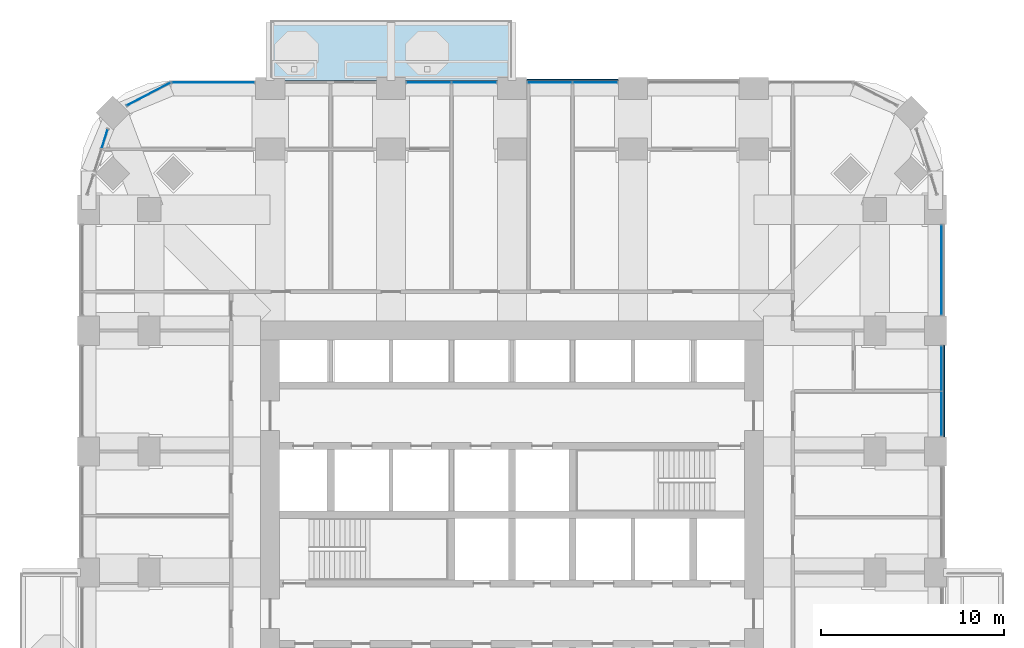
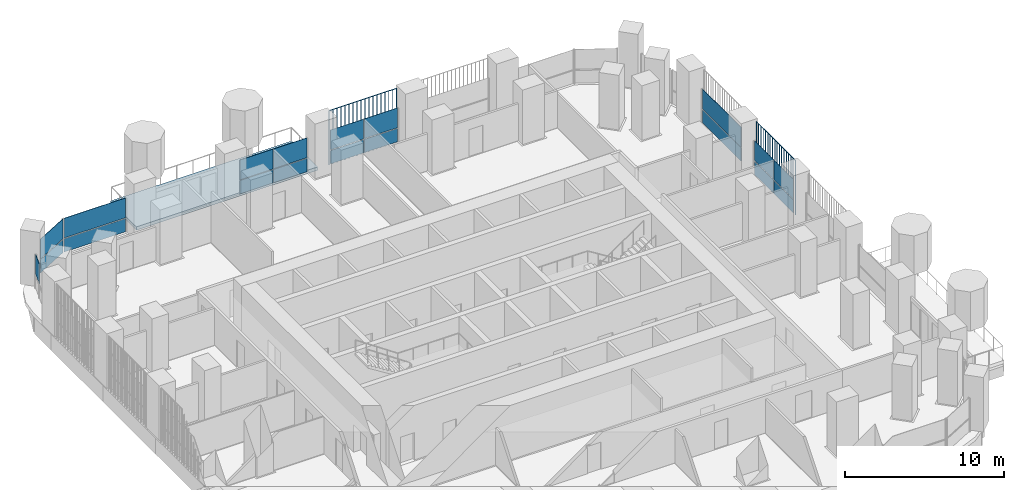
# One storey, part 11 of 21: 21 plates, 1 slab, 7 elements without a shape of their own.
"""IFC4 building model written with IfcOpenShell, lengths in metres."""

from ifc_helpers import new_model, si_unit, direction, frame, origin, origin_2d, place, context, subcontext, project, spatial, polyline, rectangle, outline, extrude, material, layer, layer_set, type_object, element, aggregate, save


model = new_model("IFC4")

# Units and contexts
model_context = context("Model", 3, precision=1e-05, world=origin(), true_north=direction((0.0, 1.0)))
body_context = subcontext(model_context, "Body", "Model", "MODEL_VIEW")
ifc_project = project(units=[si_unit("LENGTHUNIT", "METRE"), si_unit("AREAUNIT", "SQUARE_METRE"), si_unit("VOLUMEUNIT", "CUBIC_METRE"), si_unit("PLANEANGLEUNIT", "RADIAN"), si_unit("MASSUNIT", "GRAM", prefix="KILO")], contexts=[model_context])

# Site, building, storey
site_placement = place(None, origin())
site = spatial("IfcSite", under=ifc_project, at=site_placement, CompositionType="ELEMENT")
building_placement = place(site_placement, origin())
building = spatial("IfcBuilding", under=site, at=building_placement, Name="Cobogo Forest Laboratory Tower", CompositionType="ELEMENT")
storey_placement = place(building_placement, frame((0.0, 0.0, 141.0)))
storey = spatial("IfcBuildingStorey", under=building, at=storey_placement, Name="L32", CompositionType="ELEMENT", Elevation=141.0)

# Slab
ifc_material_1 = material(Name="Concrete HA-40 (C40/50)", Category="concrete")
ifc_layer_1 = layer(ifc_material_1, 0.25)
ifc_layer_set_1 = layer_set([ifc_layer_1], Name="Balcony slab 250")
slab_type = type_object("IfcSlabType", Name="Balcony slab 250", PredefinedType="FLOOR", material=ifc_layer_set_1)
slab_placement = place(storey_placement, frame((0.0, 0.0, -0.25)))
element("IfcSlab", 1, at=slab_placement, inside=storey, type_object=slab_type, Name="Balcony BAL-N1 L32", PredefinedType="FLOOR", context=body_context, shape_type="SweptSolid", body=[
    extrude(outline(polyline([(13.199951171875, 46.64990234375), (26.39990234375, 46.64990234375), (26.39990234375, 49.949951171875), (13.199951171875, 49.949951171875), (13.199951171875, 46.64990234375)])), origin(), (0.0, 0.0, 1.0), 0.25),
])

# Curtain wall, plates
ifc_material_2 = material(Name="Aluminium curtain wall", Category="aluminium")
curtain_wall_type = type_object("IfcCurtainWallType", Name="CW-1 unitised curtain wall, clear glazing, laboratory floors zones A and B", PredefinedType="USERDEFINED", material=ifc_material_2)
curtain_wall_1_placement = place(storey_placement, origin())
curtain_wall_1 = element("IfcCurtainWall", 2, at=curtain_wall_1_placement, inside=storey, type_object=curtain_wall_type, Name="Curtain wall 13 L32", ObjectType="UNITISED CURTAIN WALL", PredefinedType="USERDEFINED")
ifc_material_3 = material(Name="Clear insulated glass", Category="glass")
ifc_layer_2 = layer(ifc_material_3, 0.028076171875)
ifc_layer_set_2 = layer_set([ifc_layer_2], Name="GP-1 clear insulated glass unit 28")
plate_type_1 = type_object("IfcPlateType", Name="GP-1 clear insulated glass unit 28", PredefinedType="CURTAIN_PANEL", material=ifc_layer_set_2)
plate_1_placement = place(storey_placement, frame((49.85009765625, 28.465087890625, 0.0), z_axis=(0.0, 0.0, 1.0), x_axis=(0.0, 1.0, 0.0)))
plate_1 = element("IfcPlate", 3, at=plate_1_placement, type_object=plate_type_1, Name="CW-1 panel 1.1", PredefinedType="CURTAIN_PANEL", context=body_context, shape_type="SweptSolid", body=[
    extrude(rectangle(XDim=2.409912109375, YDim=0.028076171875, at=origin_2d()), origin(), (0.0, 0.0, 1.0), 1.02001953125),
])
plate_2_placement = place(storey_placement, frame((49.85009765625, 28.465087890625, 1.080078125), z_axis=(0.0, 0.0, 1.0), x_axis=(0.0, 1.0, 0.0)))
plate_2 = element("IfcPlate", 4, at=plate_2_placement, type_object=plate_type_1, Name="CW-1 panel 1.2", PredefinedType="CURTAIN_PANEL", context=body_context, shape_type="SweptSolid", body=[
    extrude(rectangle(XDim=2.409912109375, YDim=0.028076171875, at=origin_2d()), origin(), (0.0, 0.0, 1.0), 1.52001953125),
])
plate_3_placement = place(storey_placement, frame((49.85009765625, 30.93505859375, 0.0), z_axis=(0.0, 0.0, 1.0), x_axis=(0.0, 1.0, 0.0)))
plate_3 = element("IfcPlate", 5, at=plate_3_placement, type_object=plate_type_1, Name="CW-1 panel 2.1", PredefinedType="CURTAIN_PANEL", context=body_context, shape_type="SweptSolid", body=[
    extrude(rectangle(XDim=2.409912109375, YDim=0.028076171875, at=origin_2d()), origin(), (0.0, 0.0, 1.0), 1.02001953125),
])
plate_4_placement = place(storey_placement, frame((49.85009765625, 30.93505859375, 1.080078125), z_axis=(0.0, 0.0, 1.0), x_axis=(0.0, 1.0, 0.0)))
plate_4 = element("IfcPlate", 6, at=plate_4_placement, type_object=plate_type_1, Name="CW-1 panel 2.2", PredefinedType="CURTAIN_PANEL", context=body_context, shape_type="SweptSolid", body=[
    extrude(rectangle(XDim=2.409912109375, YDim=0.028076171875, at=origin_2d()), origin(), (0.0, 0.0, 1.0), 1.52001953125),
])
aggregate(curtain_wall_1, [plate_1, plate_2, plate_3, plate_4])

curtain_wall_2_placement = place(storey_placement, origin())
curtain_wall_2 = element("IfcCurtainWall", 7, at=curtain_wall_2_placement, inside=storey, type_object=curtain_wall_type, Name="Curtain wall 14 L32", ObjectType="UNITISED CURTAIN WALL", PredefinedType="USERDEFINED")
plate_5_placement = place(storey_placement, frame((49.85009765625, 36.300048828125, 0.0), z_axis=(0.0, 0.0, 1.0), x_axis=(0.0, 1.0, 0.0)))
plate_5 = element("IfcPlate", 8, at=plate_5_placement, type_object=plate_type_1, Name="CW-1 panel 1.1", PredefinedType="CURTAIN_PANEL", context=body_context, shape_type="SweptSolid", body=[
    extrude(rectangle(XDim=4.8798828125, YDim=0.028076171875, at=origin_2d()), origin(), (0.0, 0.0, 1.0), 1.02001953125),
])
plate_6_placement = place(storey_placement, frame((49.85009765625, 36.300048828125, 1.080078125), z_axis=(0.0, 0.0, 1.0), x_axis=(0.0, 1.0, 0.0)))
plate_6 = element("IfcPlate", 9, at=plate_6_placement, type_object=plate_type_1, Name="CW-1 panel 1.2", PredefinedType="CURTAIN_PANEL", context=body_context, shape_type="SweptSolid", body=[
    extrude(rectangle(XDim=4.8798828125, YDim=0.028076171875, at=origin_2d()), origin(), (0.0, 0.0, 1.0), 1.52001953125),
])
aggregate(curtain_wall_2, [plate_5, plate_6])

curtain_wall_3_placement = place(storey_placement, origin())
curtain_wall_3 = element("IfcCurtainWall", 10, at=curtain_wall_3_placement, inside=storey, type_object=curtain_wall_type, Name="Curtain wall 20 L32", ObjectType="UNITISED CURTAIN WALL", PredefinedType="USERDEFINED")
plate_7_placement = place(storey_placement, frame((30.93505859375, 46.550048828125, 0.0), z_axis=(0.0, 0.0, 1.0), x_axis=(-1.0, 0.0, 0.0)))
plate_7 = element("IfcPlate", 11, at=plate_7_placement, type_object=plate_type_1, Name="CW-1 panel 1.1", PredefinedType="CURTAIN_PANEL", context=body_context, shape_type="SweptSolid", body=[
    extrude(rectangle(XDim=2.409912109375, YDim=0.028076171875, at=origin_2d()), origin(), (0.0, 0.0, 1.0), 1.02001953125),
])
plate_8_placement = place(storey_placement, frame((30.93505859375, 46.550048828125, 1.080078125), z_axis=(0.0, 0.0, 1.0), x_axis=(-1.0, 0.0, 0.0)))
plate_8 = element("IfcPlate", 12, at=plate_8_placement, type_object=plate_type_1, Name="CW-1 panel 1.2", PredefinedType="CURTAIN_PANEL", context=body_context, shape_type="SweptSolid", body=[
    extrude(rectangle(XDim=2.409912109375, YDim=0.028076171875, at=origin_2d()), origin(), (0.0, 0.0, 1.0), 1.52001953125),
])
plate_9_placement = place(storey_placement, frame((28.465087890625, 46.550048828125, 0.0), z_axis=(0.0, 0.0, 1.0), x_axis=(-1.0, 0.0, 0.0)))
plate_9 = element("IfcPlate", 13, at=plate_9_placement, type_object=plate_type_1, Name="CW-1 panel 2.1", PredefinedType="CURTAIN_PANEL", context=body_context, shape_type="SweptSolid", body=[
    extrude(rectangle(XDim=2.409912109375, YDim=0.028076171875, at=origin_2d()), origin(), (0.0, 0.0, 1.0), 1.02001953125),
])
plate_10_placement = place(storey_placement, frame((28.465087890625, 46.550048828125, 1.080078125), z_axis=(0.0, 0.0, 1.0), x_axis=(-1.0, 0.0, 0.0)))
plate_10 = element("IfcPlate", 14, at=plate_10_placement, type_object=plate_type_1, Name="CW-1 panel 2.2", PredefinedType="CURTAIN_PANEL", context=body_context, shape_type="SweptSolid", body=[
    extrude(rectangle(XDim=2.409912109375, YDim=0.028076171875, at=origin_2d()), origin(), (0.0, 0.0, 1.0), 1.52001953125),
])
aggregate(curtain_wall_3, [plate_7, plate_8, plate_9, plate_10])

curtain_wall_4_placement = place(storey_placement, origin())
curtain_wall_4 = element("IfcCurtainWall", 15, at=curtain_wall_4_placement, inside=storey, type_object=curtain_wall_type, Name="Curtain wall 21 L32", ObjectType="UNITISED CURTAIN WALL", PredefinedType="USERDEFINED")
plate_11_placement = place(storey_placement, frame((24.3349609375, 46.550048828125, 0.0), z_axis=(0.0, 0.0, 1.0), x_axis=(-1.0, 0.0, 0.0)))
plate_11 = element("IfcPlate", 16, at=plate_11_placement, type_object=plate_type_1, Name="CW-1 panel 1.1", PredefinedType="CURTAIN_PANEL", context=body_context, shape_type="SweptSolid", body=[
    extrude(rectangle(XDim=2.409912109375, YDim=0.028076171875, at=origin_2d()), origin(), (0.0, 0.0, 1.0), 1.02001953125),
])
plate_12_placement = place(storey_placement, frame((24.3349609375, 46.550048828125, 1.080078125), z_axis=(0.0, 0.0, 1.0), x_axis=(-1.0, 0.0, 0.0)))
plate_12 = element("IfcPlate", 17, at=plate_12_placement, type_object=plate_type_1, Name="CW-1 panel 1.2", PredefinedType="CURTAIN_PANEL", context=body_context, shape_type="SweptSolid", body=[
    extrude(rectangle(XDim=2.409912109375, YDim=0.028076171875, at=origin_2d()), origin(), (0.0, 0.0, 1.0), 1.52001953125),
])
plate_13_placement = place(storey_placement, frame((21.864990234375, 46.550048828125, 0.0), z_axis=(0.0, 0.0, 1.0), x_axis=(-1.0, 0.0, 0.0)))
plate_13 = element("IfcPlate", 18, at=plate_13_placement, type_object=plate_type_1, Name="CW-1 panel 2.1", PredefinedType="CURTAIN_PANEL", context=body_context, shape_type="SweptSolid", body=[
    extrude(rectangle(XDim=2.409912109375, YDim=0.028076171875, at=origin_2d()), origin(), (0.0, 0.0, 1.0), 1.02001953125),
])
plate_14_placement = place(storey_placement, frame((21.864990234375, 46.550048828125, 1.080078125), z_axis=(0.0, 0.0, 1.0), x_axis=(-1.0, 0.0, 0.0)))
plate_14 = element("IfcPlate", 19, at=plate_14_placement, type_object=plate_type_1, Name="CW-1 panel 2.2", PredefinedType="CURTAIN_PANEL", context=body_context, shape_type="SweptSolid", body=[
    extrude(rectangle(XDim=2.409912109375, YDim=0.028076171875, at=origin_2d()), origin(), (0.0, 0.0, 1.0), 1.52001953125),
])
aggregate(curtain_wall_4, [plate_11, plate_12, plate_13, plate_14])

curtain_wall_5_placement = place(storey_placement, origin())
curtain_wall_5 = element("IfcCurtainWall", 20, at=curtain_wall_5_placement, inside=storey, type_object=curtain_wall_type, Name="Curtain wall 23 L32", ObjectType="UNITISED CURTAIN WALL", PredefinedType="USERDEFINED")
plate_15_placement = place(storey_placement, frame((10.10009765625, 46.550048828125, 0.0), z_axis=(0.0, 0.0, 1.0), x_axis=(-1.0, 0.0, 0.0)))
plate_15 = element("IfcPlate", 21, at=plate_15_placement, type_object=plate_type_1, Name="CW-1 panel 1.1", PredefinedType="CURTAIN_PANEL", context=body_context, shape_type="SweptSolid", body=[
    extrude(rectangle(XDim=4.47998046875, YDim=0.028076171875, at=origin_2d()), origin(), (0.0, 0.0, 1.0), 1.02001953125),
])
plate_16_placement = place(storey_placement, frame((10.10009765625, 46.550048828125, 1.080078125), z_axis=(0.0, 0.0, 1.0), x_axis=(-1.0, 0.0, 0.0)))
plate_16 = element("IfcPlate", 22, at=plate_16_placement, type_object=plate_type_1, Name="CW-1 panel 1.2", PredefinedType="CURTAIN_PANEL", context=body_context, shape_type="SweptSolid", body=[
    extrude(rectangle(XDim=4.47998046875, YDim=0.028076171875, at=origin_2d()), origin(), (0.0, 0.0, 1.0), 1.52001953125),
])
aggregate(curtain_wall_5, [plate_15, plate_16])

curtain_wall_6_placement = place(storey_placement, origin())
curtain_wall_6 = element("IfcCurtainWall", 23, at=curtain_wall_6_placement, inside=storey, type_object=curtain_wall_type, Name="Curtain wall 24 L32", ObjectType="UNITISED CURTAIN WALL", PredefinedType="USERDEFINED")
plate_17_placement = place(storey_placement, frame((6.57080078125, 45.90576171875, 0.0), z_axis=(0.0, 0.0, 1.0), x_axis=(-0.885686547075, -0.464283685186, 0.0)))
plate_17 = element("IfcPlate", 24, at=plate_17_placement, type_object=plate_type_1, Name="CW-1 panel 1.1", PredefinedType="CURTAIN_PANEL", context=body_context, shape_type="SweptSolid", body=[
    extrude(rectangle(XDim=2.655517578125, YDim=0.028076171875, at=origin_2d()), origin(), (0.0, 0.0, 1.0), 1.02001953125),
])
plate_18_placement = place(storey_placement, frame((6.57080078125, 45.90576171875, 1.080078125), z_axis=(0.0, 0.0, 1.0), x_axis=(-0.885686547075, -0.464283685186, 0.0)))
plate_18 = element("IfcPlate", 25, at=plate_18_placement, type_object=plate_type_1, Name="CW-1 panel 1.2", PredefinedType="CURTAIN_PANEL", context=body_context, shape_type="SweptSolid", body=[
    extrude(rectangle(XDim=2.655517578125, YDim=0.028076171875, at=origin_2d()), origin(), (0.0, 0.0, 1.0), 1.52001953125),
])
aggregate(curtain_wall_6, [plate_17, plate_18])

# Curtain wall, plate
curtain_wall_7_placement = place(storey_placement, origin())
curtain_wall_7 = element("IfcCurtainWall", 26, at=curtain_wall_7_placement, inside=storey, type_object=curtain_wall_type, Name="Curtain wall 25 L32", ObjectType="UNITISED CURTAIN WALL", PredefinedType="USERDEFINED")
plate_19_placement = place(storey_placement, frame((4.171875, 43.469482421875, 1.080078125), z_axis=(0.0, 0.0, 1.0), x_axis=(-0.301135291996, -0.953581425949, 0.0)))
plate_19 = element("IfcPlate", 27, at=plate_19_placement, type_object=plate_type_1, Name="CW-1 panel 1.2", PredefinedType="CURTAIN_PANEL", context=body_context, shape_type="SweptSolid", body=[
    extrude(rectangle(XDim=1.083984375, YDim=0.028076171875, at=origin_2d()), origin(), (0.0, 0.0, 1.0), 1.52001953125),
])
aggregate(curtain_wall_7, [plate_19])

# Plates
ifc_material_4 = material(Name="Terracotta", Category="masonry")
plate_type_2 = type_object("IfcPlateType", Name="TB1 terracotta baguette screen", PredefinedType="USERDEFINED", material=ifc_material_4)
plate_20_placement = place(storey_placement, frame((49.977783203125, 27.231201171875, -0.14990234375)))
element("IfcPlate", 28, at=plate_20_placement, inside=storey, type_object=plate_type_2, Name="Baguette screen E4 L32", ObjectType="BAGUETTE SCREEN", PredefinedType="USERDEFINED", context=body_context, shape_type="SweptSolid", body=[
    extrude(outline(polyline([(0.02880859375, 0.011962890625), (0.011962890625, 0.02880859375), (-0.011962890625, 0.02880859375), (-0.02880859375, 0.011962890625), (-0.02880859375, -0.011962890625), (-0.011962890625, -0.02880859375), (0.011962890625, -0.02880859375), (0.02880859375, -0.011962890625), (0.02880859375, 0.011962890625)])), frame((0.0, 0.0, 4.168701171875), z_axis=(0.0, 1.0, 0.0), x_axis=(-1.0, 0.0, 0.0)), (0.0, 0.0, 1.0), 4.9375),
    extrude(outline(polyline([(0.02880859375, 0.011962890625), (0.011962890625, 0.02880859375), (-0.011962890625, 0.02880859375), (-0.02880859375, 0.011962890625), (-0.02880859375, -0.011962890625), (-0.011962890625, -0.02880859375), (0.011962890625, -0.02880859375), (0.02880859375, -0.011962890625), (0.02880859375, 0.011962890625)])), origin(), (0.0, 0.0, 1.0), 4.137451171875),
    extrude(outline(polyline([(0.02880859375, 0.011962890625), (0.011962890625, 0.02880859375), (-0.011962890625, 0.02880859375), (-0.02880859375, 0.011962890625), (-0.02880859375, -0.011962890625), (-0.011962890625, -0.02880859375), (0.011962890625, -0.02880859375), (0.02880859375, -0.011962890625), (0.02880859375, 0.011962890625)])), frame((0.0, 0.29052734375, 0.0)), (0.0, 0.0, 1.0), 4.137451171875),
    extrude(outline(polyline([(0.02880859375, 0.011962890625), (0.011962890625, 0.02880859375), (-0.011962890625, 0.02880859375), (-0.02880859375, 0.011962890625), (-0.02880859375, -0.011962890625), (-0.011962890625, -0.02880859375), (0.011962890625, -0.02880859375), (0.02880859375, -0.011962890625), (0.02880859375, 0.011962890625)])), frame((0.0, 0.580810546875, 0.0)), (0.0, 0.0, 1.0), 4.137451171875),
    extrude(outline(polyline([(0.02880859375, 0.011962890625), (0.011962890625, 0.02880859375), (-0.011962890625, 0.02880859375), (-0.02880859375, 0.011962890625), (-0.02880859375, -0.011962890625), (-0.011962890625, -0.02880859375), (0.011962890625, -0.02880859375), (0.02880859375, -0.011962890625), (0.02880859375, 0.011962890625)])), frame((0.0, 0.871337890625, 0.0)), (0.0, 0.0, 1.0), 4.137451171875),
    extrude(outline(polyline([(0.02880859375, 0.011962890625), (0.011962890625, 0.02880859375), (-0.011962890625, 0.02880859375), (-0.02880859375, 0.011962890625), (-0.02880859375, -0.011962890625), (-0.011962890625, -0.02880859375), (0.011962890625, -0.02880859375), (0.02880859375, -0.011962890625), (0.02880859375, 0.011962890625)])), frame((0.0, 1.161865234375, 0.0)), (0.0, 0.0, 1.0), 4.137451171875),
    extrude(outline(polyline([(0.02880859375, 0.011962890625), (0.011962890625, 0.02880859375), (-0.011962890625, 0.02880859375), (-0.02880859375, 0.011962890625), (-0.02880859375, -0.011962890625), (-0.011962890625, -0.02880859375), (0.011962890625, -0.02880859375), (0.02880859375, -0.011962890625), (0.02880859375, 0.011962890625)])), frame((0.0, 1.4521484375, 0.0)), (0.0, 0.0, 1.0), 4.137451171875),
    extrude(outline(polyline([(0.02880859375, 0.011962890625), (0.011962890625, 0.02880859375), (-0.011962890625, 0.02880859375), (-0.02880859375, 0.011962890625), (-0.02880859375, -0.011962890625), (-0.011962890625, -0.02880859375), (0.011962890625, -0.02880859375), (0.02880859375, -0.011962890625), (0.02880859375, 0.011962890625)])), frame((0.0, 1.74267578125, 0.0)), (0.0, 0.0, 1.0), 4.137451171875),
    extrude(outline(polyline([(0.02880859375, 0.011962890625), (0.011962890625, 0.02880859375), (-0.011962890625, 0.02880859375), (-0.02880859375, 0.011962890625), (-0.02880859375, -0.011962890625), (-0.011962890625, -0.02880859375), (0.011962890625, -0.02880859375), (0.02880859375, -0.011962890625), (0.02880859375, 0.011962890625)])), frame((0.0, 2.033203125, 0.0)), (0.0, 0.0, 1.0), 4.137451171875),
    extrude(outline(polyline([(0.02880859375, 0.011962890625), (0.011962890625, 0.02880859375), (-0.011962890625, 0.02880859375), (-0.02880859375, 0.011962890625), (-0.02880859375, -0.011962890625), (-0.011962890625, -0.02880859375), (0.011962890625, -0.02880859375), (0.02880859375, -0.011962890625), (0.02880859375, 0.011962890625)])), frame((0.0, 2.323486328125, 0.0)), (0.0, 0.0, 1.0), 4.137451171875),
    extrude(outline(polyline([(0.02880859375, 0.011962890625), (0.011962890625, 0.02880859375), (-0.011962890625, 0.02880859375), (-0.02880859375, 0.011962890625), (-0.02880859375, -0.011962890625), (-0.011962890625, -0.02880859375), (0.011962890625, -0.02880859375), (0.02880859375, -0.011962890625), (0.02880859375, 0.011962890625)])), frame((0.0, 2.614013671875, 0.0)), (0.0, 0.0, 1.0), 4.137451171875),
    extrude(outline(polyline([(0.02880859375, 0.011962890625), (0.011962890625, 0.02880859375), (-0.011962890625, 0.02880859375), (-0.02880859375, 0.011962890625), (-0.02880859375, -0.011962890625), (-0.011962890625, -0.02880859375), (0.011962890625, -0.02880859375), (0.02880859375, -0.011962890625), (0.02880859375, 0.011962890625)])), frame((0.0, 2.904296875, 0.0)), (0.0, 0.0, 1.0), 4.137451171875),
    extrude(outline(polyline([(0.02880859375, 0.011962890625), (0.011962890625, 0.02880859375), (-0.011962890625, 0.02880859375), (-0.02880859375, 0.011962890625), (-0.02880859375, -0.011962890625), (-0.011962890625, -0.02880859375), (0.011962890625, -0.02880859375), (0.02880859375, -0.011962890625), (0.02880859375, 0.011962890625)])), frame((0.0, 3.19482421875, 0.0)), (0.0, 0.0, 1.0), 4.137451171875),
    extrude(outline(polyline([(0.02880859375, 0.011962890625), (0.011962890625, 0.02880859375), (-0.011962890625, 0.02880859375), (-0.02880859375, 0.011962890625), (-0.02880859375, -0.011962890625), (-0.011962890625, -0.02880859375), (0.011962890625, -0.02880859375), (0.02880859375, -0.011962890625), (0.02880859375, 0.011962890625)])), frame((0.0, 3.4853515625, 0.0)), (0.0, 0.0, 1.0), 4.137451171875),
    extrude(outline(polyline([(0.02880859375, 0.011962890625), (0.011962890625, 0.02880859375), (-0.011962890625, 0.02880859375), (-0.02880859375, 0.011962890625), (-0.02880859375, -0.011962890625), (-0.011962890625, -0.02880859375), (0.011962890625, -0.02880859375), (0.02880859375, -0.011962890625), (0.02880859375, 0.011962890625)])), frame((0.0, 3.775634765625, 0.0)), (0.0, 0.0, 1.0), 4.137451171875),
    extrude(outline(polyline([(0.02880859375, 0.011962890625), (0.011962890625, 0.02880859375), (-0.011962890625, 0.02880859375), (-0.02880859375, 0.011962890625), (-0.02880859375, -0.011962890625), (-0.011962890625, -0.02880859375), (0.011962890625, -0.02880859375), (0.02880859375, -0.011962890625), (0.02880859375, 0.011962890625)])), frame((0.0, 4.066162109375, 0.0)), (0.0, 0.0, 1.0), 4.137451171875),
    extrude(outline(polyline([(0.02880859375, 0.011962890625), (0.011962890625, 0.02880859375), (-0.011962890625, 0.02880859375), (-0.02880859375, 0.011962890625), (-0.02880859375, -0.011962890625), (-0.011962890625, -0.02880859375), (0.011962890625, -0.02880859375), (0.02880859375, -0.011962890625), (0.02880859375, 0.011962890625)])), frame((0.0, 4.356689453125, 0.0)), (0.0, 0.0, 1.0), 4.137451171875),
    extrude(outline(polyline([(0.02880859375, 0.011962890625), (0.011962890625, 0.02880859375), (-0.011962890625, 0.02880859375), (-0.02880859375, 0.011962890625), (-0.02880859375, -0.011962890625), (-0.011962890625, -0.02880859375), (0.011962890625, -0.02880859375), (0.02880859375, -0.011962890625), (0.02880859375, 0.011962890625)])), frame((0.0, 4.64697265625, 0.0)), (0.0, 0.0, 1.0), 4.137451171875),
    extrude(outline(polyline([(0.02880859375, 0.011962890625), (0.011962890625, 0.02880859375), (-0.011962890625, 0.02880859375), (-0.02880859375, 0.011962890625), (-0.02880859375, -0.011962890625), (-0.011962890625, -0.02880859375), (0.011962890625, -0.02880859375), (0.02880859375, -0.011962890625), (0.02880859375, 0.011962890625)])), frame((0.0, 4.9375, 0.0)), (0.0, 0.0, 1.0), 4.137451171875),
])
plate_21_placement = place(storey_placement, frame((27.231201171875, 46.677978515625, -0.14990234375)))
element("IfcPlate", 29, at=plate_21_placement, inside=storey, type_object=plate_type_2, Name="Baguette screen N3 L32", ObjectType="BAGUETTE SCREEN", PredefinedType="USERDEFINED", context=body_context, shape_type="SweptSolid", body=[
    extrude(outline(polyline([(0.02880859375, 0.011962890625), (0.011962890625, 0.02880859375), (-0.011962890625, 0.02880859375), (-0.02880859375, 0.011962890625), (-0.02880859375, -0.011962890625), (-0.011962890625, -0.02880859375), (0.011962890625, -0.02880859375), (0.02880859375, -0.011962890625), (0.02880859375, 0.011962890625)])), frame((0.0, 0.0, 4.168701171875), z_axis=(1.0, 0.0, 0.0), x_axis=(0.0, 1.0, 0.0)), (0.0, 0.0, 1.0), 4.9375),
    extrude(outline(polyline([(0.02880859375, 0.011962890625), (0.011962890625, 0.02880859375), (-0.011962890625, 0.02880859375), (-0.02880859375, 0.011962890625), (-0.02880859375, -0.011962890625), (-0.011962890625, -0.02880859375), (0.011962890625, -0.02880859375), (0.02880859375, -0.011962890625), (0.02880859375, 0.011962890625)])), origin(), (0.0, 0.0, 1.0), 4.137451171875),
    extrude(outline(polyline([(0.02880859375, 0.011962890625), (0.011962890625, 0.02880859375), (-0.011962890625, 0.02880859375), (-0.02880859375, 0.011962890625), (-0.02880859375, -0.011962890625), (-0.011962890625, -0.02880859375), (0.011962890625, -0.02880859375), (0.02880859375, -0.011962890625), (0.02880859375, 0.011962890625)])), frame((0.29052734375, 0.0, 0.0)), (0.0, 0.0, 1.0), 4.137451171875),
    extrude(outline(polyline([(0.02880859375, 0.011962890625), (0.011962890625, 0.02880859375), (-0.011962890625, 0.02880859375), (-0.02880859375, 0.011962890625), (-0.02880859375, -0.011962890625), (-0.011962890625, -0.02880859375), (0.011962890625, -0.02880859375), (0.02880859375, -0.011962890625), (0.02880859375, 0.011962890625)])), frame((0.580810546875, 0.0, 0.0)), (0.0, 0.0, 1.0), 4.137451171875),
    extrude(outline(polyline([(0.02880859375, 0.011962890625), (0.011962890625, 0.02880859375), (-0.011962890625, 0.02880859375), (-0.02880859375, 0.011962890625), (-0.02880859375, -0.011962890625), (-0.011962890625, -0.02880859375), (0.011962890625, -0.02880859375), (0.02880859375, -0.011962890625), (0.02880859375, 0.011962890625)])), frame((0.871337890625, 0.0, 0.0)), (0.0, 0.0, 1.0), 4.137451171875),
    extrude(outline(polyline([(0.02880859375, 0.011962890625), (0.011962890625, 0.02880859375), (-0.011962890625, 0.02880859375), (-0.02880859375, 0.011962890625), (-0.02880859375, -0.011962890625), (-0.011962890625, -0.02880859375), (0.011962890625, -0.02880859375), (0.02880859375, -0.011962890625), (0.02880859375, 0.011962890625)])), frame((1.161865234375, 0.0, 0.0)), (0.0, 0.0, 1.0), 4.137451171875),
    extrude(outline(polyline([(0.02880859375, 0.011962890625), (0.011962890625, 0.02880859375), (-0.011962890625, 0.02880859375), (-0.02880859375, 0.011962890625), (-0.02880859375, -0.011962890625), (-0.011962890625, -0.02880859375), (0.011962890625, -0.02880859375), (0.02880859375, -0.011962890625), (0.02880859375, 0.011962890625)])), frame((1.4521484375, 0.0, 0.0)), (0.0, 0.0, 1.0), 4.137451171875),
    extrude(outline(polyline([(0.02880859375, 0.011962890625), (0.011962890625, 0.02880859375), (-0.011962890625, 0.02880859375), (-0.02880859375, 0.011962890625), (-0.02880859375, -0.011962890625), (-0.011962890625, -0.02880859375), (0.011962890625, -0.02880859375), (0.02880859375, -0.011962890625), (0.02880859375, 0.011962890625)])), frame((1.74267578125, 0.0, 0.0)), (0.0, 0.0, 1.0), 4.137451171875),
    extrude(outline(polyline([(0.02880859375, 0.011962890625), (0.011962890625, 0.02880859375), (-0.011962890625, 0.02880859375), (-0.02880859375, 0.011962890625), (-0.02880859375, -0.011962890625), (-0.011962890625, -0.02880859375), (0.011962890625, -0.02880859375), (0.02880859375, -0.011962890625), (0.02880859375, 0.011962890625)])), frame((2.033203125, 0.0, 0.0)), (0.0, 0.0, 1.0), 4.137451171875),
    extrude(outline(polyline([(0.02880859375, 0.011962890625), (0.011962890625, 0.02880859375), (-0.011962890625, 0.02880859375), (-0.02880859375, 0.011962890625), (-0.02880859375, -0.011962890625), (-0.011962890625, -0.02880859375), (0.011962890625, -0.02880859375), (0.02880859375, -0.011962890625), (0.02880859375, 0.011962890625)])), frame((2.323486328125, 0.0, 0.0)), (0.0, 0.0, 1.0), 4.137451171875),
    extrude(outline(polyline([(0.02880859375, 0.011962890625), (0.011962890625, 0.02880859375), (-0.011962890625, 0.02880859375), (-0.02880859375, 0.011962890625), (-0.02880859375, -0.011962890625), (-0.011962890625, -0.02880859375), (0.011962890625, -0.02880859375), (0.02880859375, -0.011962890625), (0.02880859375, 0.011962890625)])), frame((2.614013671875, 0.0, 0.0)), (0.0, 0.0, 1.0), 4.137451171875),
    extrude(outline(polyline([(0.02880859375, 0.011962890625), (0.011962890625, 0.02880859375), (-0.011962890625, 0.02880859375), (-0.02880859375, 0.011962890625), (-0.02880859375, -0.011962890625), (-0.011962890625, -0.02880859375), (0.011962890625, -0.02880859375), (0.02880859375, -0.011962890625), (0.02880859375, 0.011962890625)])), frame((2.904296875, 0.0, 0.0)), (0.0, 0.0, 1.0), 4.137451171875),
    extrude(outline(polyline([(0.02880859375, 0.011962890625), (0.011962890625, 0.02880859375), (-0.011962890625, 0.02880859375), (-0.02880859375, 0.011962890625), (-0.02880859375, -0.011962890625), (-0.011962890625, -0.02880859375), (0.011962890625, -0.02880859375), (0.02880859375, -0.011962890625), (0.02880859375, 0.011962890625)])), frame((3.19482421875, 0.0, 0.0)), (0.0, 0.0, 1.0), 4.137451171875),
    extrude(outline(polyline([(0.02880859375, 0.011962890625), (0.011962890625, 0.02880859375), (-0.011962890625, 0.02880859375), (-0.02880859375, 0.011962890625), (-0.02880859375, -0.011962890625), (-0.011962890625, -0.02880859375), (0.011962890625, -0.02880859375), (0.02880859375, -0.011962890625), (0.02880859375, 0.011962890625)])), frame((3.4853515625, 0.0, 0.0)), (0.0, 0.0, 1.0), 4.137451171875),
    extrude(outline(polyline([(0.02880859375, 0.011962890625), (0.011962890625, 0.02880859375), (-0.011962890625, 0.02880859375), (-0.02880859375, 0.011962890625), (-0.02880859375, -0.011962890625), (-0.011962890625, -0.02880859375), (0.011962890625, -0.02880859375), (0.02880859375, -0.011962890625), (0.02880859375, 0.011962890625)])), frame((3.775634765625, 0.0, 0.0)), (0.0, 0.0, 1.0), 4.137451171875),
    extrude(outline(polyline([(0.02880859375, 0.011962890625), (0.011962890625, 0.02880859375), (-0.011962890625, 0.02880859375), (-0.02880859375, 0.011962890625), (-0.02880859375, -0.011962890625), (-0.011962890625, -0.02880859375), (0.011962890625, -0.02880859375), (0.02880859375, -0.011962890625), (0.02880859375, 0.011962890625)])), frame((4.066162109375, 0.0, 0.0)), (0.0, 0.0, 1.0), 4.137451171875),
    extrude(outline(polyline([(0.02880859375, 0.011962890625), (0.011962890625, 0.02880859375), (-0.011962890625, 0.02880859375), (-0.02880859375, 0.011962890625), (-0.02880859375, -0.011962890625), (-0.011962890625, -0.02880859375), (0.011962890625, -0.02880859375), (0.02880859375, -0.011962890625), (0.02880859375, 0.011962890625)])), frame((4.356689453125, 0.0, 0.0)), (0.0, 0.0, 1.0), 4.137451171875),
    extrude(outline(polyline([(0.02880859375, 0.011962890625), (0.011962890625, 0.02880859375), (-0.011962890625, 0.02880859375), (-0.02880859375, 0.011962890625), (-0.02880859375, -0.011962890625), (-0.011962890625, -0.02880859375), (0.011962890625, -0.02880859375), (0.02880859375, -0.011962890625), (0.02880859375, 0.011962890625)])), frame((4.64697265625, 0.0, 0.0)), (0.0, 0.0, 1.0), 4.137451171875),
    extrude(outline(polyline([(0.02880859375, 0.011962890625), (0.011962890625, 0.02880859375), (-0.011962890625, 0.02880859375), (-0.02880859375, 0.011962890625), (-0.02880859375, -0.011962890625), (-0.011962890625, -0.02880859375), (0.011962890625, -0.02880859375), (0.02880859375, -0.011962890625), (0.02880859375, 0.011962890625)])), frame((4.9375, 0.0, 0.0)), (0.0, 0.0, 1.0), 4.137451171875),
])

save(model, "model.ifc")
